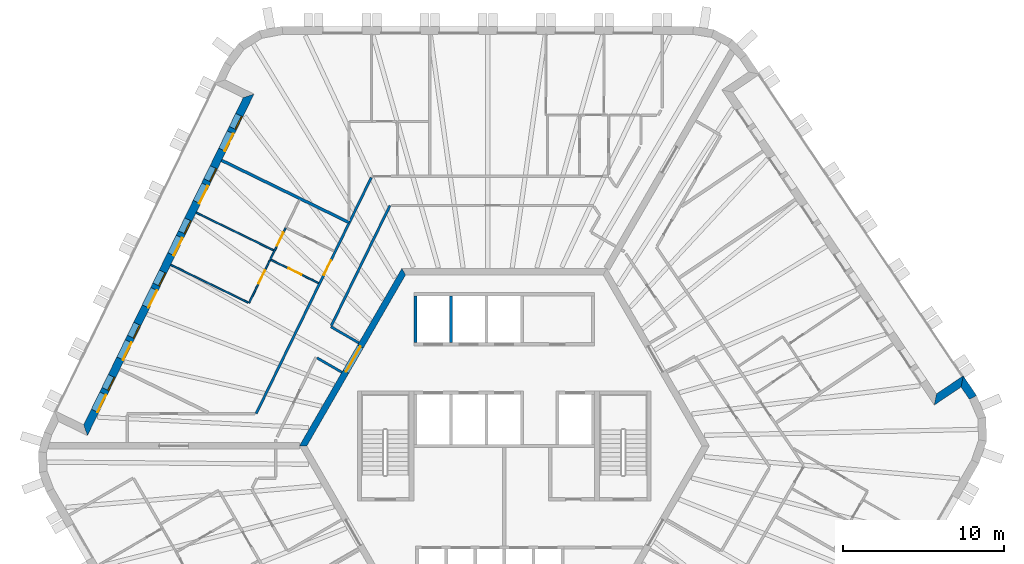
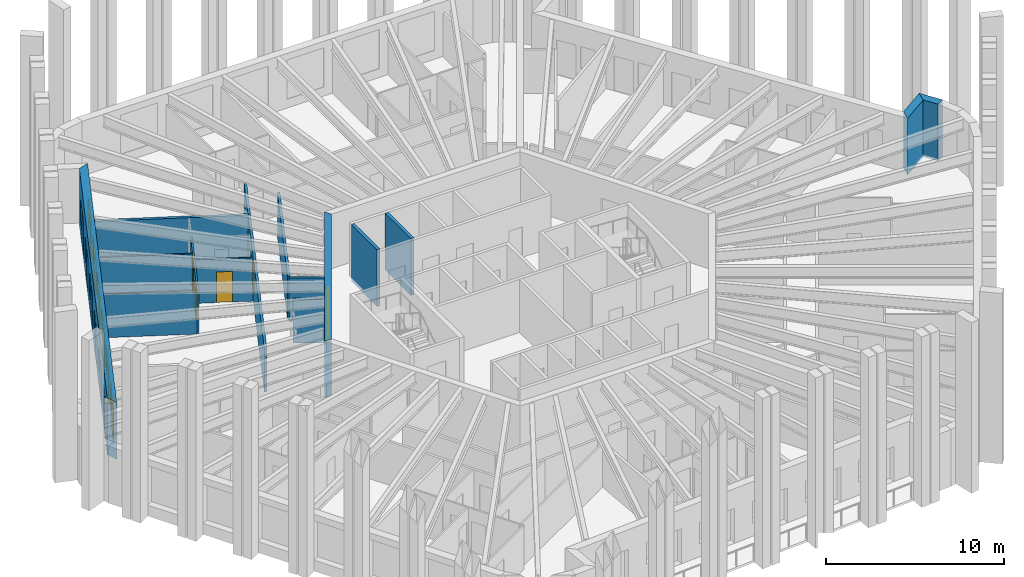
# One storey, part 8 of 13: 16 walls, 11 doors, 6 windows, 17 openings.
"""IFC4 building model written with IfcOpenShell, lengths in metres."""

from ifc_helpers import new_model, si_unit, direction, frame, frame_2d, origin, place, context, subcontext, project, spatial, polyline, rectangle, outline, extrude, material, layer, layer_set, type_object, element, fill, save


model = new_model("IFC4")

# Units and contexts
model_context = context("Model", 3, precision=1e-05, world=origin(), true_north=direction((0.0, 1.0)))
body_context = subcontext(model_context, "Body", "Model", "MODEL_VIEW")
ifc_project = project(units=[si_unit("LENGTHUNIT", "METRE"), si_unit("AREAUNIT", "SQUARE_METRE"), si_unit("VOLUMEUNIT", "CUBIC_METRE"), si_unit("PLANEANGLEUNIT", "RADIAN"), si_unit("MASSUNIT", "GRAM", prefix="KILO")], contexts=[model_context])

# Site, building, storey
site_placement = place(None, origin())
site = spatial("IfcSite", under=ifc_project, at=site_placement, CompositionType="ELEMENT")
building_placement = place(site_placement, origin())
building = spatial("IfcBuilding", under=site, at=building_placement, Name="Tarnside Tower", CompositionType="ELEMENT")
storey_placement = place(building_placement, frame((0.0, 0.0, 314.699951171875)))
storey = spatial("IfcBuildingStorey", under=building, at=storey_placement, Name="L76", CompositionType="ELEMENT", Elevation=314.699951171875)

# Wall, opening, door
ifc_material_1 = material(Name="Concrete C60/75", Category="concrete")
ifc_layer_1 = layer(ifc_material_1, 0.39990234375)
ifc_layer_set_1 = layer_set([ifc_layer_1], Name="Core wall Z3 400 C60/75")
wall_type_1 = type_object("IfcWallType", Name="Core wall Z3 400 C60/75", PredefinedType="SHEAR", material=ifc_layer_set_1)
wall_1_placement = place(storey_placement, frame((-6.2353515625, 10.800048828125, -0.14990234375), z_axis=(0.0, 0.0, 1.0), x_axis=(-0.499996419489, -0.866027470984, 0.0)))
wall_1 = element("IfcWall", 1, at=wall_1_placement, inside=storey, type_object=wall_type_1, Name="L76 core wall face 2", PredefinedType="SHEAR", context=body_context, shape_type="SweptSolid", body=[
    extrude(outline(polyline([(-0.115478515625, -0.199951171875), (12.586181640625, -0.199951171875), (12.355224609375, 0.199951171875), (0.115478515625, 0.199951171875), (-0.115478515625, -0.199951171875)])), origin(), (0.0, 0.0, 1.0), 3.89990234375),
])
opening_1_placement = place(wall_1_placement, frame((5.3642578125, 0.0, 0.14990234375)))
opening_1 = element("IfcOpeningElement", 2, at=opening_1_placement, cuts=wall_1, Name="Opening CD-LOB", PredefinedType="OPENING", context=body_context, shape_type="SweptSolid", body=[
    extrude(rectangle(XDim=1.800048828125, YDim=2.39990234375, at=frame_2d((0.89990234375, 1.199951171875))), frame((0.0, 0.2099609375, 0.0), z_axis=(0.0, -1.0, 0.0), x_axis=(1.0, 0.0, 0.0)), (0.0, 0.0, 1.0), 0.419921875),
])
ifc_material_2 = material(Name="Steel fire door", Category="steel")
door_type_1 = type_object("IfcDoorType", Name="Lobby double door FD30S 1800x2400", OperationType="NOTDEFINED", PredefinedType="DOOR", material=ifc_material_2)
door_1_placement = place(opening_1_placement, origin())
door_1 = element("IfcDoor", 3, at=door_1_placement, inside=storey, type_object=door_type_1, Name="L76 core door P1", OperationType="DOUBLE_DOOR_SINGLE_SWING", OverallHeight=2.39990234375, OverallWidth=1.800048828125, PredefinedType="DOOR", context=body_context, shape_type="SweptSolid", body=[
    extrude(rectangle(XDim=1.800048828125, YDim=2.39990234375, at=frame_2d((0.89990234375, 1.199951171875))), frame((0.0, 0.02490234375, 0.0), z_axis=(0.0, -1.0, 0.0), x_axis=(1.0, 0.0, 0.0)), (0.0, 0.0, 1.0), 0.050048828125),
])
fill(opening_1, door_1)

ifc_material_3 = material(Name="Gypsum board partition on steel studs", Category="steel")
ifc_layer_2 = layer(ifc_material_3, 0.14990234375)
ifc_layer_set_2 = layer_set([ifc_layer_2], Name="Corridor wall 150 EI 60")
wall_type_2 = type_object("IfcWallType", Name="Corridor wall 150 EI 60", PredefinedType="PARTITIONING", material=ifc_layer_set_2)
wall_2_placement = place(storey_placement, frame((-8.24658203125, 16.625, 0.0), z_axis=(0.0, 0.0, 1.0), x_axis=(-0.438381655451, -0.898788920806, 0.0)))
wall_2 = element("IfcWall", 4, at=wall_2_placement, inside=storey, type_object=wall_type_2, Name="Corridor wall 25011", PredefinedType="PARTITIONING", context=body_context, shape_type="SweptSolid", body=[
    extrude(rectangle(XDim=16.27197265625, YDim=0.14990234375, at=frame_2d((8.135986328125, 0.0))), origin(), (0.0, 0.0, 1.0), 2.98779296875),
])
opening_2_placement = place(wall_2_placement, frame((5.70263671875, 0.0, 0.0)))
opening_2 = element("IfcOpeningElement", 5, at=opening_2_placement, cuts=wall_2, Name="Opening D-E1", PredefinedType="OPENING", context=body_context, shape_type="SweptSolid", body=[
    extrude(rectangle(XDim=1.0, YDim=2.10009765625, at=frame_2d((0.5, 1.050048828125))), frame((0.0, 0.0849609375, 0.0), z_axis=(0.0, -1.0, 0.0), x_axis=(1.0, 0.0, 0.0)), (0.0, 0.0, 1.0), 0.169921875),
])
ifc_material_4 = material(Name="Timber door leaf", Category="wood")
door_type_2 = type_object("IfcDoorType", Name="Unit entrance door 1000 FD30S", OperationType="NOTDEFINED", PredefinedType="DOOR", material=ifc_material_4)
door_2_placement = place(opening_2_placement, origin())
door_2 = element("IfcDoor", 6, at=door_2_placement, inside=storey, type_object=door_type_2, Name="Unit door 25016", OperationType="SINGLE_SWING_LEFT", OverallHeight=2.10009765625, OverallWidth=1.0, PredefinedType="DOOR", context=body_context, shape_type="SweptSolid", body=[
    extrude(rectangle(XDim=1.0, YDim=2.10009765625, at=frame_2d((0.5, 1.050048828125))), frame((0.0, 0.02490234375, 0.0), z_axis=(0.0, -1.0, 0.0), x_axis=(1.0, 0.0, 0.0)), (0.0, 0.0, 1.0), 0.050048828125),
])
fill(opening_2, door_2)

# Walls
wall_3_placement = place(storey_placement, frame((-9.015625, 6.38427734375, 0.0), z_axis=(0.0, 0.0, 1.0), x_axis=(-0.866029291668, 0.499993265928, 0.0)))
element("IfcWall", 7, at=wall_3_placement, inside=storey, type_object=wall_type_2, Name="Corridor wall 25019", PredefinedType="PARTITIONING", context=body_context, shape_type="SweptSolid", body=[
    extrude(rectangle(XDim=2.0029296875, YDim=0.14990234375, at=frame_2d((1.00146484375, 0.0))), origin(), (0.0, 0.0, 1.0), 2.98779296875),
])
wall_4_placement = place(storey_placement, frame((-10.71728515625, 7.453369140625, 0.0), z_axis=(0.0, 0.0, 1.0), x_axis=(0.438363251035, 0.898797897273, 0.0)))
element("IfcWall", 8, at=wall_4_placement, inside=storey, type_object=wall_type_2, Name="Corridor wall 25020", PredefinedType="PARTITIONING", context=body_context, shape_type="SweptSolid", body=[
    extrude(rectangle(XDim=8.284912109375, YDim=0.14990234375, at=frame_2d((4.142578125, 0.0))), origin(), (0.0, 0.0, 1.0), 2.98779296875),
])
wall_5_placement = place(storey_placement, frame((-11.60791015625, 5.4560546875, 0.0), z_axis=(0.0, 0.0, 1.0), x_axis=(0.866032625367, -0.499987491644, 0.0)))
element("IfcWall", 9, at=wall_5_placement, inside=storey, type_object=wall_type_2, Name="Corridor wall 25027", PredefinedType="PARTITIONING", context=body_context, shape_type="SweptSolid", body=[
    extrude(rectangle(XDim=1.78076171875, YDim=0.14990234375, at=frame_2d((0.890380859375, 0.0))), origin(), (0.0, 0.0, 1.0), 2.98779296875),
])
ifc_layer_3 = layer(ifc_material_3, 0.179931640625)
ifc_layer_set_3 = layer_set([ifc_layer_3], Name="Demising wall 180 EI 60")
wall_type_3 = type_object("IfcWallType", Name="Demising wall 180 EI 60", PredefinedType="PARTITIONING", material=ifc_layer_set_3)
wall_6_placement = place(storey_placement, frame((-17.51611328125, 17.694091796875, 0.0), z_axis=(0.0, 0.0, 1.0), x_axis=(0.898787414812, -0.438384743092, 0.0)))
element("IfcWall", 10, at=wall_6_placement, inside=storey, type_object=wall_type_3, Name="Demising wall 25099", PredefinedType="PARTITIONING", context=body_context, shape_type="SweptSolid", body=[
    extrude(rectangle(XDim=8.781982421875, YDim=0.179931640625, at=frame_2d((4.39111328125, 0.0))), origin(), (0.0, 0.0, 1.0), 2.98779296875),
])
ifc_material_5 = material(Name="Concrete C40/50", Category="concrete")
ifc_layer_4 = layer(ifc_material_5, 0.199951171875)
ifc_layer_set_4 = layer_set([ifc_layer_4], Name="Lift shaft wall 200 C40/50")
wall_type_4 = type_object("IfcWallType", Name="Lift shaft wall 200 C40/50", PredefinedType="SHEAR", material=ifc_layer_set_4)
for number, where, z_axis, x_axis, name in (
    (11, (-5.5, 6.39990234375, -0.25), (0.0, 0.0, 1.0), (0.0, 1.0, 0.0), "L76 lift shaft partition R11"),
    (12, (-3.300048828125, 6.39990234375, -0.25), (0.0, 0.0, 1.0), (0.0, 1.0, 0.0), "L76 lift shaft partition R12"),
):
    element("IfcWall", number, at=place(storey_placement, frame(where, z_axis=z_axis, x_axis=x_axis)), inside=storey, type_object=wall_type_4, Name=name, PredefinedType="SHEAR", context=body_context, shape_type="SweptSolid", body=[
        extrude(rectangle(XDim=2.900146484375, YDim=0.199951171875, at=frame_2d((1.4501953125, 0.0))), origin(), (0.0, 0.0, 1.0), 3.900146484375),
    ])

# Wall, openings, doors, windows
ifc_material_6 = material(Name="Dark zinc cladding")
ifc_layer_5 = layer(ifc_material_6, 0.10205078125)
ifc_material_7 = material(Name="Concrete C60/75 precast", Category="concrete")
ifc_layer_6 = layer(ifc_material_7, 0.298095703125)
ifc_material_8 = material(Name="Mineral wool insulation")
ifc_layer_7 = layer(ifc_material_8, 0.10009765625)
ifc_layer_set_5 = layer_set([ifc_layer_5, ifc_layer_6, ifc_layer_7], Name="Loggia wall 500 zinc faced")
wall_type_5 = type_object("IfcWallType", Name="Loggia wall 500 zinc faced", PredefinedType="SOLIDWALL", material=ifc_layer_set_5)
wall_7_placement = place(storey_placement, frame((-15.845947265625, 21.6884765625, -0.14990234375), z_axis=(0.0, 0.0, 1.0), x_axis=(-0.438377502627, -0.898790946322, 0.0)))
wall_7 = element("IfcWall", 13, at=wall_7_placement, inside=storey, type_object=wall_type_5, Name="Tube wall L76 F2 back 06", PredefinedType="SOLIDWALL", context=body_context, shape_type="SweptSolid", body=[
    extrude(outline(polyline([(0.25, -0.25), (22.794677734375, -0.25), (23.294677734375, 0.25), (-0.25, 0.25), (0.25, -0.25)])), origin(), (0.0, 0.0, 1.0), 3.89990234375),
])
opening_3_placement = place(wall_7_placement, frame((1.322509765625, 0.0, 1.050048828125)))
opening_3 = element("IfcOpeningElement", 14, at=opening_3_placement, cuts=wall_7, Name="Opening WL500", PredefinedType="OPENING", context=body_context, shape_type="SweptSolid", body=[
    extrude(rectangle(XDim=0.89990234375, YDim=1.5, at=frame_2d((0.449951171875, 0.75))), frame((0.0, 0.260009765625, 0.0), z_axis=(0.0, -1.0, 0.0), x_axis=(1.0, 0.0, 0.0)), (0.0, 0.0, 1.0), 0.52001953125),
])
opening_4_placement = place(wall_7_placement, frame((2.5224609375, 0.0, 0.14990234375)))
opening_4 = element("IfcOpeningElement", 15, at=opening_4_placement, cuts=wall_7, Name="Opening DB500", PredefinedType="OPENING", context=body_context, shape_type="SweptSolid", body=[
    extrude(rectangle(XDim=1.199951171875, YDim=2.39990234375, at=frame_2d((0.60009765625, 1.199951171875))), frame((0.0, 0.260009765625, 0.0), z_axis=(0.0, -1.0, 0.0), x_axis=(1.0, 0.0, 0.0)), (0.0, 0.0, 1.0), 0.52001953125),
])
opening_5_placement = place(wall_7_placement, frame((4.92236328125, 0.0, 1.050048828125)))
opening_5 = element("IfcOpeningElement", 16, at=opening_5_placement, cuts=wall_7, Name="Opening WL500", PredefinedType="OPENING", context=body_context, shape_type="SweptSolid", body=[
    extrude(rectangle(XDim=0.89990234375, YDim=1.5, at=frame_2d((0.449951171875, 0.75))), frame((0.0, 0.260009765625, 0.0), z_axis=(0.0, -1.0, 0.0), x_axis=(1.0, 0.0, 0.0)), (0.0, 0.0, 1.0), 0.52001953125),
])
opening_6_placement = place(wall_7_placement, frame((6.122314453125, 0.0, 0.14990234375)))
opening_6 = element("IfcOpeningElement", 17, at=opening_6_placement, cuts=wall_7, Name="Opening DB500", PredefinedType="OPENING", context=body_context, shape_type="SweptSolid", body=[
    extrude(rectangle(XDim=1.199951171875, YDim=2.39990234375, at=frame_2d((0.60009765625, 1.199951171875))), frame((0.0, 0.260009765625, 0.0), z_axis=(0.0, -1.0, 0.0), x_axis=(1.0, 0.0, 0.0)), (0.0, 0.0, 1.0), 0.52001953125),
])
opening_7_placement = place(wall_7_placement, frame((8.5224609375, 0.0, 1.050048828125)))
opening_7 = element("IfcOpeningElement", 18, at=opening_7_placement, cuts=wall_7, Name="Opening WL500", PredefinedType="OPENING", context=body_context, shape_type="SweptSolid", body=[
    extrude(rectangle(XDim=0.89990234375, YDim=1.5, at=frame_2d((0.449951171875, 0.75))), frame((0.0, 0.260009765625, 0.0), z_axis=(0.0, -1.0, 0.0), x_axis=(1.0, 0.0, 0.0)), (0.0, 0.0, 1.0), 0.52001953125),
])
opening_8_placement = place(wall_7_placement, frame((9.722412109375, 0.0, 0.14990234375)))
opening_8 = element("IfcOpeningElement", 19, at=opening_8_placement, cuts=wall_7, Name="Opening DB500", PredefinedType="OPENING", context=body_context, shape_type="SweptSolid", body=[
    extrude(rectangle(XDim=1.199951171875, YDim=2.39990234375, at=frame_2d((0.60009765625, 1.199951171875))), frame((0.0, 0.260009765625, 0.0), z_axis=(0.0, -1.0, 0.0), x_axis=(1.0, 0.0, 0.0)), (0.0, 0.0, 1.0), 0.52001953125),
])
opening_9_placement = place(wall_7_placement, frame((12.122314453125, 0.0, 1.050048828125)))
opening_9 = element("IfcOpeningElement", 20, at=opening_9_placement, cuts=wall_7, Name="Opening WL500", PredefinedType="OPENING", context=body_context, shape_type="SweptSolid", body=[
    extrude(rectangle(XDim=0.89990234375, YDim=1.5, at=frame_2d((0.449951171875, 0.75))), frame((0.0, 0.260009765625, 0.0), z_axis=(0.0, -1.0, 0.0), x_axis=(1.0, 0.0, 0.0)), (0.0, 0.0, 1.0), 0.52001953125),
])
opening_10_placement = place(wall_7_placement, frame((13.322509765625, 0.0, 0.14990234375)))
opening_10 = element("IfcOpeningElement", 21, at=opening_10_placement, cuts=wall_7, Name="Opening DB500", PredefinedType="OPENING", context=body_context, shape_type="SweptSolid", body=[
    extrude(rectangle(XDim=1.199951171875, YDim=2.39990234375, at=frame_2d((0.60009765625, 1.199951171875))), frame((0.0, 0.260009765625, 0.0), z_axis=(0.0, -1.0, 0.0), x_axis=(1.0, 0.0, 0.0)), (0.0, 0.0, 1.0), 0.52001953125),
])
opening_11_placement = place(wall_7_placement, frame((15.722412109375, 0.0, 1.050048828125)))
opening_11 = element("IfcOpeningElement", 22, at=opening_11_placement, cuts=wall_7, Name="Opening WL500", PredefinedType="OPENING", context=body_context, shape_type="SweptSolid", body=[
    extrude(rectangle(XDim=0.89990234375, YDim=1.5, at=frame_2d((0.449951171875, 0.75))), frame((0.0, 0.260009765625, 0.0), z_axis=(0.0, -1.0, 0.0), x_axis=(1.0, 0.0, 0.0)), (0.0, 0.0, 1.0), 0.52001953125),
])
opening_12_placement = place(wall_7_placement, frame((16.92236328125, 0.0, 0.14990234375)))
opening_12 = element("IfcOpeningElement", 23, at=opening_12_placement, cuts=wall_7, Name="Opening DB500", PredefinedType="OPENING", context=body_context, shape_type="SweptSolid", body=[
    extrude(rectangle(XDim=1.199951171875, YDim=2.39990234375, at=frame_2d((0.60009765625, 1.199951171875))), frame((0.0, 0.260009765625, 0.0), z_axis=(0.0, -1.0, 0.0), x_axis=(1.0, 0.0, 0.0)), (0.0, 0.0, 1.0), 0.52001953125),
])
opening_13_placement = place(wall_7_placement, frame((19.322509765625, 0.0, 1.050048828125)))
opening_13 = element("IfcOpeningElement", 24, at=opening_13_placement, cuts=wall_7, Name="Opening WL500", PredefinedType="OPENING", context=body_context, shape_type="SweptSolid", body=[
    extrude(rectangle(XDim=0.89990234375, YDim=1.5, at=frame_2d((0.449951171875, 0.75))), frame((0.0, 0.260009765625, 0.0), z_axis=(0.0, -1.0, 0.0), x_axis=(1.0, 0.0, 0.0)), (0.0, 0.0, 1.0), 0.52001953125),
])
opening_14_placement = place(wall_7_placement, frame((20.5224609375, 0.0, 0.14990234375)))
opening_14 = element("IfcOpeningElement", 25, at=opening_14_placement, cuts=wall_7, Name="Opening DB500", PredefinedType="OPENING", context=body_context, shape_type="SweptSolid", body=[
    extrude(rectangle(XDim=1.199951171875, YDim=2.39990234375, at=frame_2d((0.60009765625, 1.199951171875))), frame((0.0, 0.260009765625, 0.0), z_axis=(0.0, -1.0, 0.0), x_axis=(1.0, 0.0, 0.0)), (0.0, 0.0, 1.0), 0.52001953125),
])
ifc_material_9 = material(Name="Aluminium-framed double glazing", Category="aluminium")
door_type_3 = type_object("IfcDoorType", Name="Balcony sliding door 1200 x 2400 in 500 wall", OperationType="SLIDING_TO_LEFT", PredefinedType="DOOR", material=ifc_material_9)
door_3_placement = place(opening_4_placement, frame((0.0, 0.1748046875, 0.0)))
door_3 = element("IfcDoor", 26, at=door_3_placement, inside=storey, type_object=door_type_3, Name="E.BD.L76.F2.00", OperationType="SLIDING_TO_LEFT", OverallHeight=2.39990234375, OverallWidth=1.199951171875, PredefinedType="DOOR", context=body_context, shape_type="SweptSolid", body=[
    extrude(rectangle(XDim=1.199951171875, YDim=2.39990234375, at=frame_2d((0.60009765625, 1.199951171875))), frame((0.0, 0.02490234375, 0.0), z_axis=(0.0, -1.0, 0.0), x_axis=(1.0, 0.0, 0.0)), (0.0, 0.0, 1.0), 0.050048828125),
])
fill(opening_4, door_3)
door_4_placement = place(opening_6_placement, frame((0.0, 0.1748046875, 0.0)))
door_4 = element("IfcDoor", 27, at=door_4_placement, inside=storey, type_object=door_type_3, Name="E.BD.L76.F2.01", OperationType="SLIDING_TO_LEFT", OverallHeight=2.39990234375, OverallWidth=1.199951171875, PredefinedType="DOOR", context=body_context, shape_type="SweptSolid", body=[
    extrude(rectangle(XDim=1.199951171875, YDim=2.39990234375, at=frame_2d((0.60009765625, 1.199951171875))), frame((0.0, 0.02490234375, 0.0), z_axis=(0.0, -1.0, 0.0), x_axis=(1.0, 0.0, 0.0)), (0.0, 0.0, 1.0), 0.050048828125),
])
fill(opening_6, door_4)
door_5_placement = place(opening_8_placement, frame((0.0, 0.1748046875, 0.0)))
door_5 = element("IfcDoor", 28, at=door_5_placement, inside=storey, type_object=door_type_3, Name="E.BD.L76.F2.02", OperationType="SLIDING_TO_LEFT", OverallHeight=2.39990234375, OverallWidth=1.199951171875, PredefinedType="DOOR", context=body_context, shape_type="SweptSolid", body=[
    extrude(rectangle(XDim=1.199951171875, YDim=2.39990234375, at=frame_2d((0.60009765625, 1.199951171875))), frame((0.0, 0.02490234375, 0.0), z_axis=(0.0, -1.0, 0.0), x_axis=(1.0, 0.0, 0.0)), (0.0, 0.0, 1.0), 0.050048828125),
])
fill(opening_8, door_5)
door_6_placement = place(opening_10_placement, frame((0.0, 0.1748046875, 0.0)))
door_6 = element("IfcDoor", 29, at=door_6_placement, inside=storey, type_object=door_type_3, Name="E.BD.L76.F2.03", OperationType="SLIDING_TO_LEFT", OverallHeight=2.39990234375, OverallWidth=1.199951171875, PredefinedType="DOOR", context=body_context, shape_type="SweptSolid", body=[
    extrude(rectangle(XDim=1.199951171875, YDim=2.39990234375, at=frame_2d((0.60009765625, 1.199951171875))), frame((0.0, 0.02490234375, 0.0), z_axis=(0.0, -1.0, 0.0), x_axis=(1.0, 0.0, 0.0)), (0.0, 0.0, 1.0), 0.050048828125),
])
fill(opening_10, door_6)
door_7_placement = place(opening_12_placement, frame((0.0, 0.1748046875, 0.0)))
door_7 = element("IfcDoor", 30, at=door_7_placement, inside=storey, type_object=door_type_3, Name="E.BD.L76.F2.04", OperationType="SLIDING_TO_LEFT", OverallHeight=2.39990234375, OverallWidth=1.199951171875, PredefinedType="DOOR", context=body_context, shape_type="SweptSolid", body=[
    extrude(rectangle(XDim=1.199951171875, YDim=2.39990234375, at=frame_2d((0.60009765625, 1.199951171875))), frame((0.0, 0.02490234375, 0.0), z_axis=(0.0, -1.0, 0.0), x_axis=(1.0, 0.0, 0.0)), (0.0, 0.0, 1.0), 0.050048828125),
])
fill(opening_12, door_7)
door_8_placement = place(opening_14_placement, frame((0.0, 0.1748046875, 0.0)))
door_8 = element("IfcDoor", 31, at=door_8_placement, inside=storey, type_object=door_type_3, Name="E.BD.L76.F2.05", OperationType="SLIDING_TO_LEFT", OverallHeight=2.39990234375, OverallWidth=1.199951171875, PredefinedType="DOOR", context=body_context, shape_type="SweptSolid", body=[
    extrude(rectangle(XDim=1.199951171875, YDim=2.39990234375, at=frame_2d((0.60009765625, 1.199951171875))), frame((0.0, 0.02490234375, 0.0), z_axis=(0.0, -1.0, 0.0), x_axis=(1.0, 0.0, 0.0)), (0.0, 0.0, 1.0), 0.050048828125),
])
fill(opening_14, door_8)
window_type = type_object("IfcWindowType", Name="Loggia window 900 x 1500 in 500 wall", PartitioningType="SINGLE_PANEL", PredefinedType="WINDOW", material=ifc_material_9)
window_1_placement = place(opening_3_placement, frame((0.0, 0.179931640625, 0.0)))
window_1 = element("IfcWindow", 32, at=window_1_placement, inside=storey, type_object=window_type, Name="E.LW.L76.F2.00", OverallHeight=1.5, OverallWidth=0.89990234375, PartitioningType="SINGLE_PANEL", PredefinedType="WINDOW", context=body_context, shape_type="SweptSolid", body=[
    extrude(rectangle(XDim=0.89990234375, YDim=1.5, at=frame_2d((0.449951171875, 0.75))), frame((0.0, 0.030029296875, 0.0), z_axis=(0.0, -1.0, 0.0), x_axis=(1.0, 0.0, 0.0)), (0.0, 0.0, 1.0), 0.06005859375),
])
fill(opening_3, window_1)
window_2_placement = place(opening_5_placement, frame((0.0, 0.179931640625, 0.0)))
window_2 = element("IfcWindow", 33, at=window_2_placement, inside=storey, type_object=window_type, Name="E.LW.L76.F2.01", OverallHeight=1.5, OverallWidth=0.89990234375, PartitioningType="SINGLE_PANEL", PredefinedType="WINDOW", context=body_context, shape_type="SweptSolid", body=[
    extrude(rectangle(XDim=0.89990234375, YDim=1.5, at=frame_2d((0.449951171875, 0.75))), frame((0.0, 0.030029296875, 0.0), z_axis=(0.0, -1.0, 0.0), x_axis=(1.0, 0.0, 0.0)), (0.0, 0.0, 1.0), 0.06005859375),
])
fill(opening_5, window_2)
window_3_placement = place(opening_7_placement, frame((0.0, 0.179931640625, 0.0)))
window_3 = element("IfcWindow", 34, at=window_3_placement, inside=storey, type_object=window_type, Name="E.LW.L76.F2.02", OverallHeight=1.5, OverallWidth=0.89990234375, PartitioningType="SINGLE_PANEL", PredefinedType="WINDOW", context=body_context, shape_type="SweptSolid", body=[
    extrude(rectangle(XDim=0.89990234375, YDim=1.5, at=frame_2d((0.449951171875, 0.75))), frame((0.0, 0.030029296875, 0.0), z_axis=(0.0, -1.0, 0.0), x_axis=(1.0, 0.0, 0.0)), (0.0, 0.0, 1.0), 0.06005859375),
])
fill(opening_7, window_3)
window_4_placement = place(opening_9_placement, frame((0.0, 0.179931640625, 0.0)))
window_4 = element("IfcWindow", 35, at=window_4_placement, inside=storey, type_object=window_type, Name="E.LW.L76.F2.03", OverallHeight=1.5, OverallWidth=0.89990234375, PartitioningType="SINGLE_PANEL", PredefinedType="WINDOW", context=body_context, shape_type="SweptSolid", body=[
    extrude(rectangle(XDim=0.89990234375, YDim=1.5, at=frame_2d((0.449951171875, 0.75))), frame((0.0, 0.030029296875, 0.0), z_axis=(0.0, -1.0, 0.0), x_axis=(1.0, 0.0, 0.0)), (0.0, 0.0, 1.0), 0.06005859375),
])
fill(opening_9, window_4)
window_5_placement = place(opening_11_placement, frame((0.0, 0.179931640625, 0.0)))
window_5 = element("IfcWindow", 36, at=window_5_placement, inside=storey, type_object=window_type, Name="E.LW.L76.F2.04", OverallHeight=1.5, OverallWidth=0.89990234375, PartitioningType="SINGLE_PANEL", PredefinedType="WINDOW", context=body_context, shape_type="SweptSolid", body=[
    extrude(rectangle(XDim=0.89990234375, YDim=1.5, at=frame_2d((0.449951171875, 0.75))), frame((0.0, 0.030029296875, 0.0), z_axis=(0.0, -1.0, 0.0), x_axis=(1.0, 0.0, 0.0)), (0.0, 0.0, 1.0), 0.06005859375),
])
fill(opening_11, window_5)
window_6_placement = place(opening_13_placement, frame((0.0, 0.179931640625, 0.0)))
window_6 = element("IfcWindow", 37, at=window_6_placement, inside=storey, type_object=window_type, Name="E.LW.L76.F2.05", OverallHeight=1.5, OverallWidth=0.89990234375, PartitioningType="SINGLE_PANEL", PredefinedType="WINDOW", context=body_context, shape_type="SweptSolid", body=[
    extrude(rectangle(XDim=0.89990234375, YDim=1.5, at=frame_2d((0.449951171875, 0.75))), frame((0.0, 0.030029296875, 0.0), z_axis=(0.0, -1.0, 0.0), x_axis=(1.0, 0.0, 0.0)), (0.0, 0.0, 1.0), 0.06005859375),
])
fill(opening_13, window_6)

# Walls
wall_8_placement = place(storey_placement, frame((29.034912109375, 3.00244140625, -0.14990234375), z_axis=(0.0, 0.0, 1.0), x_axis=(-0.559200218553, 0.829032638423, 0.0)))
element("IfcWall", 38, at=wall_8_placement, inside=storey, type_object=wall_type_5, Name="Tube wall L76 F6 stub 28", PredefinedType="SOLIDWALL", context=body_context, shape_type="SweptSolid", body=[
    extrude(outline(polyline([(-0.0234375, -0.25), (1.44970703125, -0.25), (0.94970703125, 0.25), (0.0234375, 0.25), (-0.0234375, -0.25)])), origin(), (0.0, 0.0, 1.0), 3.89990234375),
])
wall_9_placement = place(storey_placement, frame((28.364013671875, 3.9970703125, -0.14990234375), z_axis=(0.0, 0.0, 1.0), x_axis=(-0.829108975345, -0.5590870299, 0.0)))
element("IfcWall", 39, at=wall_9_placement, inside=storey, type_object=wall_type_5, Name="Tube wall L76 F6 return 29", PredefinedType="SOLIDWALL", context=body_context, shape_type="SweptSolid", body=[
    extrude(outline(polyline([(-0.25, -0.25), (1.75, -0.25), (2.25, 0.25), (0.25, 0.25), (-0.25, -0.25)])), origin(), (0.0, 0.0, 1.0), 3.89990234375),
])

# Wall, opening, door
ifc_layer_8 = layer(ifc_material_3, 0.10009765625)
ifc_layer_set_6 = layer_set([ifc_layer_8], Name="Partition 100")
wall_type_6 = type_object("IfcWallType", Name="Partition 100", PredefinedType="PARTITIONING", material=ifc_layer_set_6)
wall_10_placement = place(storey_placement, frame((-11.515380859375, 10.09423828125, 0.0), z_axis=(0.0, 0.0, 1.0), x_axis=(-0.898774796437, 0.438410612656, 0.0)))
wall_10 = element("IfcWall", 40, at=wall_10_placement, inside=storey, type_object=wall_type_6, Name="Partition wall 25104", PredefinedType="PARTITIONING", context=body_context, shape_type="SweptSolid", body=[
    extrude(rectangle(XDim=3.3251953125, YDim=0.10009765625, at=frame_2d((1.66259765625, 0.0))), origin(), (0.0, 0.0, 1.0), 2.98779296875),
])
opening_15_placement = place(wall_10_placement, frame((1.175048828125, 0.0, 0.0)))
opening_15 = element("IfcOpeningElement", 41, at=opening_15_placement, cuts=wall_10, Name="Opening D-I1", PredefinedType="OPENING", context=body_context, shape_type="SweptSolid", body=[
    extrude(rectangle(XDim=0.89990234375, YDim=2.10009765625, at=frame_2d((0.449951171875, 1.050048828125))), frame((0.0, 0.06005859375, 0.0), z_axis=(0.0, -1.0, 0.0), x_axis=(1.0, 0.0, 0.0)), (0.0, 0.0, 1.0), 0.1201171875),
])
door_type_4 = type_object("IfcDoorType", Name="Internal door 900", OperationType="NOTDEFINED", PredefinedType="DOOR", material=ifc_material_4)
door_9_placement = place(opening_15_placement, origin())
door_9 = element("IfcDoor", 42, at=door_9_placement, inside=storey, type_object=door_type_4, Name="Internal door 25018", OperationType="SINGLE_SWING_RIGHT", OverallHeight=2.10009765625, OverallWidth=0.89990234375, PredefinedType="DOOR", context=body_context, shape_type="SweptSolid", body=[
    extrude(rectangle(XDim=0.89990234375, YDim=2.10009765625, at=frame_2d((0.449951171875, 1.050048828125))), frame((0.0, 0.02490234375, 0.0), z_axis=(0.0, -1.0, 0.0), x_axis=(1.0, 0.0, 0.0)), (0.0, 0.0, 1.0), 0.050048828125),
])
fill(opening_15, door_9)

wall_11_placement = place(storey_placement, frame((-14.52490234375, 11.5087890625, 0.0), z_axis=(0.0, 0.0, 1.0), x_axis=(-0.438325864236, -0.898816130664, 0.0)))
wall_11 = element("IfcWall", 43, at=wall_11_placement, inside=storey, type_object=wall_type_6, Name="Partition wall 25105", PredefinedType="PARTITIONING", context=body_context, shape_type="SweptSolid", body=[
    extrude(rectangle(XDim=2.951904296875, YDim=0.10009765625, at=frame_2d((1.47607421875, 0.0))), origin(), (0.0, 0.0, 1.0), 2.98779296875),
])
opening_16_placement = place(wall_11_placement, frame((0.701904296875, 0.0, 0.0)))
opening_16 = element("IfcOpeningElement", 44, at=opening_16_placement, cuts=wall_11, Name="Opening D-I1", PredefinedType="OPENING", context=body_context, shape_type="SweptSolid", body=[
    extrude(rectangle(XDim=0.89990234375, YDim=2.10009765625, at=frame_2d((0.449951171875, 1.050048828125))), frame((0.0, 0.06005859375, 0.0), z_axis=(0.0, -1.0, 0.0), x_axis=(1.0, 0.0, 0.0)), (0.0, 0.0, 1.0), 0.1201171875),
])
door_10_placement = place(opening_16_placement, origin())
door_10 = element("IfcDoor", 45, at=door_10_placement, inside=storey, type_object=door_type_4, Name="Internal door 25020", OperationType="SINGLE_SWING_RIGHT", OverallHeight=2.10009765625, OverallWidth=0.89990234375, PredefinedType="DOOR", context=body_context, shape_type="SweptSolid", body=[
    extrude(rectangle(XDim=0.89990234375, YDim=2.10009765625, at=frame_2d((0.449951171875, 1.050048828125))), frame((0.0, 0.02490234375, 0.0), z_axis=(0.0, -1.0, 0.0), x_axis=(1.0, 0.0, 0.0)), (0.0, 0.0, 1.0), 0.050048828125),
])
fill(opening_16, door_10)

# Wall
wall_12_placement = place(storey_placement, frame((-15.864013671875, 8.87744140625, 0.0), z_axis=(0.0, 0.0, 1.0), x_axis=(-0.898792128327, 0.438375079193, 0.0)))
element("IfcWall", 46, at=wall_12_placement, inside=storey, type_object=wall_type_6, Name="Partition wall 25106", PredefinedType="PARTITIONING", context=body_context, shape_type="SweptSolid", body=[
    extrude(rectangle(XDim=5.349853515625, YDim=0.10009765625, at=frame_2d((2.6748046875, 0.0))), origin(), (0.0, 0.0, 1.0), 2.98779296875),
])

# Wall, opening, door
wall_13_placement = place(storey_placement, frame((-13.53857421875, 13.531005859375, 0.0), z_axis=(0.0, 0.0, 1.0), x_axis=(-0.438329783762, -0.898814219217, 0.0)))
wall_13 = element("IfcWall", 47, at=wall_13_placement, inside=storey, type_object=wall_type_6, Name="Partition wall 25109", PredefinedType="PARTITIONING", context=body_context, shape_type="SweptSolid", body=[
    extrude(rectangle(XDim=2.203857421875, YDim=0.10009765625, at=frame_2d((1.10205078125, 0.0))), origin(), (0.0, 0.0, 1.0), 2.98779296875),
])
opening_17_placement = place(wall_13_placement, frame((0.35205078125, 0.0, 0.0)))
opening_17 = element("IfcOpeningElement", 48, at=opening_17_placement, cuts=wall_13, Name="Opening D-I1", PredefinedType="OPENING", context=body_context, shape_type="SweptSolid", body=[
    extrude(rectangle(XDim=0.89990234375, YDim=2.10009765625, at=frame_2d((0.449951171875, 1.050048828125))), frame((0.0, 0.06005859375, 0.0), z_axis=(0.0, -1.0, 0.0), x_axis=(1.0, 0.0, 0.0)), (0.0, 0.0, 1.0), 0.1201171875),
])
door_11_placement = place(opening_17_placement, origin())
door_11 = element("IfcDoor", 49, at=door_11_placement, inside=storey, type_object=door_type_4, Name="Internal door 25019", OperationType="SINGLE_SWING_RIGHT", OverallHeight=2.10009765625, OverallWidth=0.89990234375, PredefinedType="DOOR", context=body_context, shape_type="SweptSolid", body=[
    extrude(rectangle(XDim=0.89990234375, YDim=2.10009765625, at=frame_2d((0.449951171875, 1.050048828125))), frame((0.0, 0.02490234375, 0.0), z_axis=(0.0, -1.0, 0.0), x_axis=(1.0, 0.0, 0.0)), (0.0, 0.0, 1.0), 0.050048828125),
])
fill(opening_17, door_11)

# Wall
wall_14_placement = place(storey_placement, frame((-19.09423828125, 14.45849609375, 0.0), z_axis=(0.0, 0.0, 1.0), x_axis=(0.898774147156, -0.438411943728, 0.0)))
element("IfcWall", 50, at=wall_14_placement, inside=storey, type_object=wall_type_6, Name="Partition wall 25112", PredefinedType="PARTITIONING", context=body_context, shape_type="SweptSolid", body=[
    extrude(rectangle(XDim=5.349853515625, YDim=0.10009765625, at=frame_2d((2.6748046875, 0.0))), origin(), (0.0, 0.0, 1.0), 2.98779296875),
])

save(model, "model.ifc")
